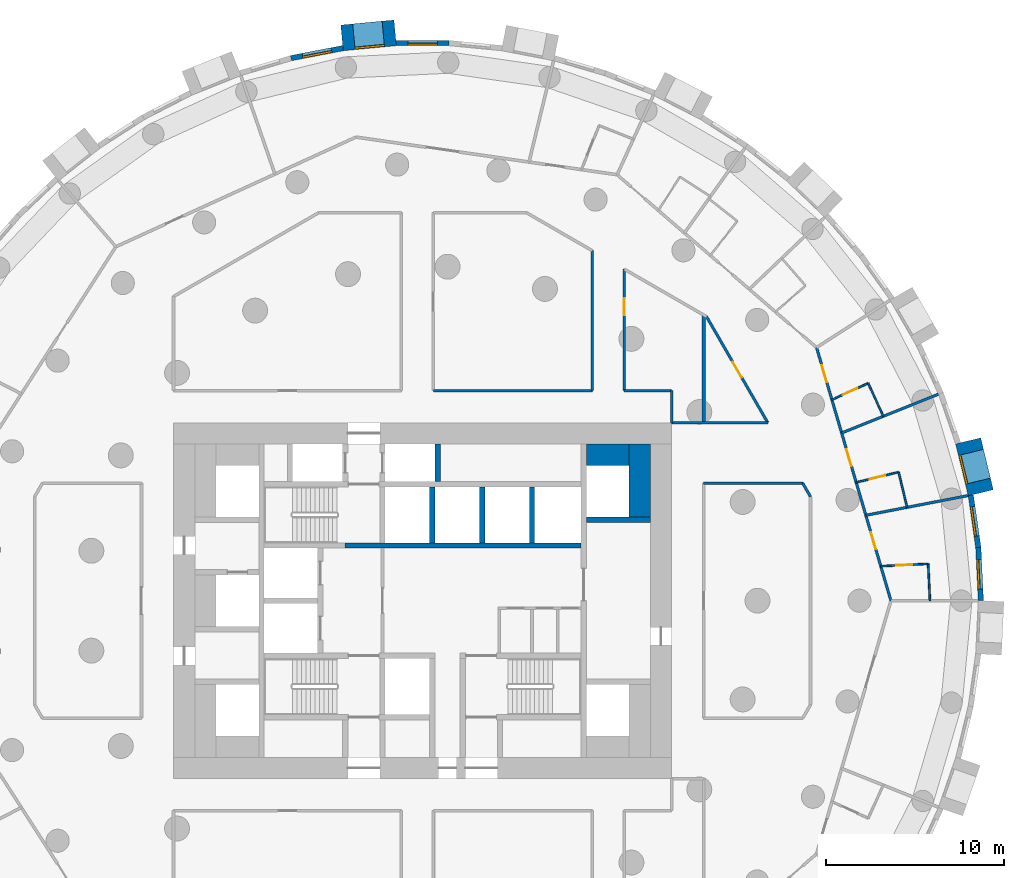
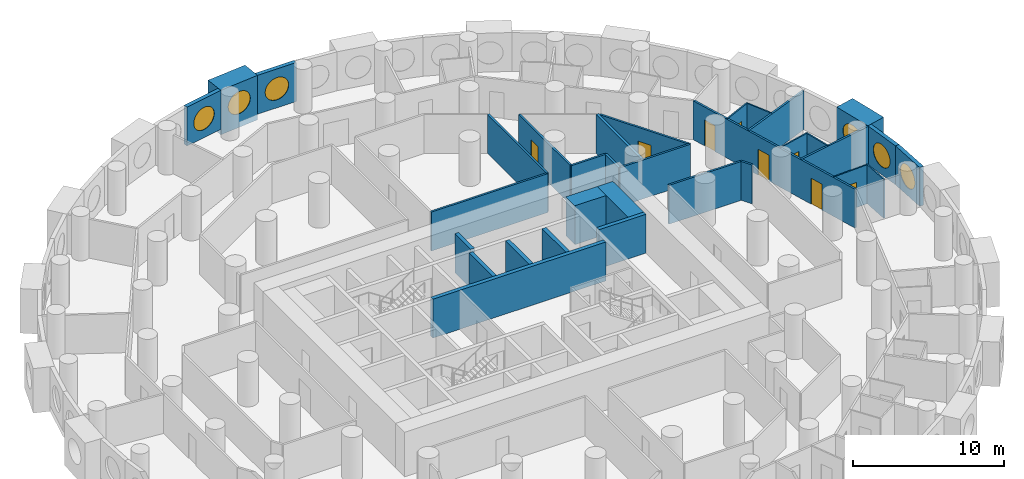
# One storey, part 8 of 12: 33 walls, 8 doors, 6 windows, 14 openings.
"""IFC4 building model written with IfcOpenShell, lengths in metres."""

from ifc_helpers import new_model, si_unit, direction, frame, frame_2d, origin, origin_2d, place, context, subcontext, project, spatial, rectangle, circle, extrude, material, layer, layer_set, type_object, element, fill, save


model = new_model("IFC4")

# Units and contexts
model_context = context("Model", 3, precision=1e-05, world=origin(), true_north=direction((0.0, 1.0)))
body_context = subcontext(model_context, "Body", "Model", "MODEL_VIEW")
ifc_project = project(units=[si_unit("LENGTHUNIT", "METRE"), si_unit("AREAUNIT", "SQUARE_METRE"), si_unit("VOLUMEUNIT", "CUBIC_METRE"), si_unit("PLANEANGLEUNIT", "RADIAN"), si_unit("MASSUNIT", "GRAM", prefix="KILO")], contexts=[model_context])

# Site, building, storey
site_placement = place(None, origin())
site = spatial("IfcSite", under=ifc_project, at=site_placement, CompositionType="ELEMENT")
building_placement = place(site_placement, origin())
building = spatial("IfcBuilding", under=site, at=building_placement, Name="Tracery Tower", CompositionType="ELEMENT")
storey_placement = place(building_placement, frame((0.0, 0.0, 71.39990234375)))
storey = spatial("IfcBuildingStorey", under=building, at=storey_placement, Name="L17", CompositionType="ELEMENT", Elevation=71.39990234375)

# Walls
ifc_material_1 = material(Name="Concrete C60/75", Category="concrete")
ifc_layer_1 = layer(ifc_material_1, 1.199951171875)
ifc_layer_set_1 = layer_set([ifc_layer_1], Name="Core strip wall 1200 C60")
wall_type_1 = type_object("IfcWallType", Name="Core strip wall 1200 C60", PredefinedType="SOLIDWALL", material=ifc_layer_set_1)
wall_1_placement = place(storey_placement, frame((12.199951171875, 4.699951171875, 0.0), z_axis=(0.0, 0.0, 1.0), x_axis=(0.0, 1.0, 0.0)))
element("IfcWall", 1, at=wall_1_placement, inside=storey, type_object=wall_type_1, Name="L17 wing strip +1 4.55", PredefinedType="SOLIDWALL", context=body_context, shape_type="SweptSolid", body=[
    extrude(rectangle(XDim=4.10009765625, YDim=1.199951171875, at=frame_2d((2.050048828125, 0.0))), origin(), (0.0, 0.0, 1.0), 3.150146484375),
])
wall_2_placement = place(storey_placement, frame((9.199951171875, 8.199951171875, 0.0), z_axis=(0.0, 0.0, 1.0), x_axis=(1.0, 0.0, 0.0)))
element("IfcWall", 2, at=wall_2_placement, inside=storey, type_object=wall_type_1, Name="L17 wing corner +1 +8.2", PredefinedType="SOLIDWALL", context=body_context, shape_type="SweptSolid", body=[
    extrude(rectangle(XDim=2.400146484375, YDim=1.199951171875, at=frame_2d((1.2001953125, 0.0))), origin(), (0.0, 0.0, 1.0), 3.150146484375),
])

# Wall, opening, window
ifc_material_2 = material(Name="Precast concrete C50/60", Category="concrete")
ifc_layer_2 = layer(ifc_material_2, 1.449951171875)
ifc_layer_set_2 = layer_set([ifc_layer_2], Name="Deep-set bay unit 3000 x 3600, slab edge 450")
wall_type_2 = type_object("IfcWallType", Name="Deep-set bay unit 3000 x 3600, slab edge 450", PredefinedType="ELEMENTEDWALL", material=ifc_layer_set_2)
wall_3_placement = place(storey_placement, frame((31.367919921875, 6.066162109375, -0.449951171875), z_axis=(0.0, 0.0, 1.0), x_axis=(-0.235751415068, 0.971813392732, 0.0)))
wall_3 = element("IfcWall", 3, at=wall_3_placement, inside=storey, type_object=wall_type_2, Name="Deep-set bay unit 3 at L17", PredefinedType="ELEMENTEDWALL", context=body_context, shape_type="SweptSolid", body=[
    extrude(rectangle(XDim=3.0, YDim=1.449951171875, at=frame_2d((1.5, 0.0))), origin(), (0.0, 0.0, 1.0), 3.60009765625),
])
opening_1_placement = place(wall_3_placement, frame((1.5, 0.0, 2.0)))
opening_1 = element("IfcOpeningElement", 4, at=opening_1_placement, cuts=wall_3, Name="Opening WN1", PredefinedType="OPENING", context=body_context, shape_type="SweptSolid", body=[
    extrude(circle(Radius=0.9000244140625, at=origin_2d()), frame((0.0, 0.73486328125, 0.0), z_axis=(0.0, -1.0, 0.0), x_axis=(1.0, 0.0, 0.0)), (0.0, 0.0, 1.0), 1.469970703125),
])
ifc_material_3 = material(Name="Aluminium frame with tinted double glazing", Category="aluminium")
window_type = type_object("IfcWindowType", Name="Round window 1800", PartitioningType="SINGLE_PANEL", PredefinedType="WINDOW", material=ifc_material_3)
window_1_placement = place(opening_1_placement, origin())
window_1 = element("IfcWindow", 5, at=window_1_placement, inside=storey, type_object=window_type, Name="Round window 3 at L17", OverallHeight=1.800048828125, OverallWidth=1.800048828125, PartitioningType="SINGLE_PANEL", PredefinedType="WINDOW", context=body_context, shape_type="SweptSolid", body=[
    extrude(circle(Radius=0.9000244140625, at=origin_2d()), frame((0.0, 0.69482421875, 0.0), z_axis=(0.0, -1.0, 0.0), x_axis=(1.0, 0.0, 0.0)), (0.0, 0.0, 1.0), 0.10009765625),
])
fill(opening_1, window_1)

wall_4_placement = place(storey_placement, frame((-1.540283203125, 31.911865234375, -0.449951171875), z_axis=(0.0, 0.0, 1.0), x_axis=(-0.995472768558, -0.09504718333, 0.0)))
wall_4 = element("IfcWall", 6, at=wall_4_placement, inside=storey, type_object=wall_type_2, Name="Deep-set bay unit 18 at L17", PredefinedType="ELEMENTEDWALL", context=body_context, shape_type="SweptSolid", body=[
    extrude(rectangle(XDim=3.000244140625, YDim=1.449951171875, at=frame_2d((1.5, 0.0))), origin(), (0.0, 0.0, 1.0), 3.60009765625),
])
opening_2_placement = place(wall_4_placement, frame((1.5, 0.0, 2.0)))
opening_2 = element("IfcOpeningElement", 7, at=opening_2_placement, cuts=wall_4, Name="Opening WN1", PredefinedType="OPENING", context=body_context, shape_type="SweptSolid", body=[
    extrude(circle(Radius=0.9000244140625, at=origin_2d()), frame((0.0, 0.73486328125, 0.0), z_axis=(0.0, -1.0, 0.0), x_axis=(1.0, 0.0, 0.0)), (0.0, 0.0, 1.0), 1.469970703125),
])
window_2_placement = place(opening_2_placement, origin())
window_2 = element("IfcWindow", 8, at=window_2_placement, inside=storey, type_object=window_type, Name="Round window 18 at L17", OverallHeight=1.800048828125, OverallWidth=1.800048828125, PartitioningType="SINGLE_PANEL", PredefinedType="WINDOW", context=body_context, shape_type="SweptSolid", body=[
    extrude(circle(Radius=0.9000244140625, at=origin_2d()), frame((0.0, 0.69482421875, 0.0), z_axis=(0.0, -1.0, 0.0), x_axis=(1.0, 0.0, 0.0)), (0.0, 0.0, 1.0), 0.10009765625),
])
fill(opening_2, window_2)

ifc_material_4 = material(Name="Precast concrete C50/60", Category="concrete")
ifc_layer_3 = layer(ifc_material_4, 0.300048828125)
ifc_layer_set_3 = layer_set([ifc_layer_3], Name="Facade panel 3000 x 3150")
wall_type_3 = type_object("IfcWallType", Name="Facade panel 3000 x 3150", PredefinedType="SOLIDWALL", material=ifc_layer_set_3)
wall_5_placement = place(storey_placement, frame((31.3740234375, 0.006103515625, 0.0), z_axis=(0.0, 0.0, 1.0), x_axis=(-0.047522328113, 0.998870175914, 0.0)))
wall_5 = element("IfcWall", 9, at=wall_5_placement, inside=storey, type_object=wall_type_3, Name="Facade panel 1 at L17", PredefinedType="SOLIDWALL", context=body_context, shape_type="SweptSolid", body=[
    extrude(rectangle(XDim=2.979736328125, YDim=0.300048828125, at=frame_2d((1.48974609375, 0.0))), origin(), (0.0, 0.0, 1.0), 3.150146484375),
])
opening_3_placement = place(wall_5_placement, frame((1.48974609375, 0.0, 1.5498046875)))
opening_3 = element("IfcOpeningElement", 10, at=opening_3_placement, cuts=wall_5, Name="Opening WN1", PredefinedType="OPENING", context=body_context, shape_type="SweptSolid", body=[
    extrude(circle(Radius=0.9000244140625, at=origin_2d()), frame((0.0, 0.159912109375, 0.0), z_axis=(0.0, -1.0, 0.0), x_axis=(1.0, 0.0, 0.0)), (0.0, 0.0, 1.0), 0.320068359375),
])
window_3_placement = place(opening_3_placement, origin())
window_3 = element("IfcWindow", 11, at=window_3_placement, inside=storey, type_object=window_type, Name="Round window 1 at L17", OverallHeight=1.800048828125, OverallWidth=1.800048828125, PartitioningType="SINGLE_PANEL", PredefinedType="WINDOW", context=body_context, shape_type="SweptSolid", body=[
    extrude(circle(Radius=0.9000244140625, at=origin_2d()), frame((0.0, 0.1201171875, 0.0), z_axis=(0.0, -1.0, 0.0), x_axis=(1.0, 0.0, 0.0)), (0.0, 0.0, 1.0), 0.10009765625),
])
fill(opening_3, window_3)

wall_6_placement = place(storey_placement, frame((31.232421875, 2.982421875, 0.0), z_axis=(0.0, 0.0, 1.0), x_axis=(-0.142327539111, 0.989819615693, 0.0)))
wall_6 = element("IfcWall", 12, at=wall_6_placement, inside=storey, type_object=wall_type_3, Name="Facade panel 2 at L17", PredefinedType="SOLIDWALL", context=body_context, shape_type="SweptSolid", body=[
    extrude(rectangle(XDim=2.9794921875, YDim=0.300048828125, at=frame_2d((1.48974609375, 0.0))), origin(), (0.0, 0.0, 1.0), 3.150146484375),
])
opening_4_placement = place(wall_6_placement, frame((1.48974609375, 0.0, 1.5498046875)))
opening_4 = element("IfcOpeningElement", 13, at=opening_4_placement, cuts=wall_6, Name="Opening WN1", PredefinedType="OPENING", context=body_context, shape_type="SweptSolid", body=[
    extrude(circle(Radius=0.9000244140625, at=origin_2d()), frame((0.0, 0.159912109375, 0.0), z_axis=(0.0, -1.0, 0.0), x_axis=(1.0, 0.0, 0.0)), (0.0, 0.0, 1.0), 0.320068359375),
])
window_4_placement = place(opening_4_placement, origin())
window_4 = element("IfcWindow", 14, at=window_4_placement, inside=storey, type_object=window_type, Name="Round window 2 at L17", OverallHeight=1.800048828125, OverallWidth=1.800048828125, PartitioningType="SINGLE_PANEL", PredefinedType="WINDOW", context=body_context, shape_type="SweptSolid", body=[
    extrude(circle(Radius=0.9000244140625, at=origin_2d()), frame((0.0, 0.1201171875, 0.0), z_axis=(0.0, -1.0, 0.0), x_axis=(1.0, 0.0, 0.0)), (0.0, 0.0, 1.0), 0.10009765625),
])
fill(opening_4, window_4)

wall_7_placement = place(storey_placement, frame((1.492919921875, 31.3388671875, 0.0), z_axis=(0.0, 0.0, 1.0), x_axis=(-1.0, 0.0, 0.0)))
wall_7 = element("IfcWall", 15, at=wall_7_placement, inside=storey, type_object=wall_type_3, Name="Facade panel 17 at L17", PredefinedType="SOLIDWALL", context=body_context, shape_type="SweptSolid", body=[
    extrude(rectangle(XDim=2.979736328125, YDim=0.300048828125, at=frame_2d((1.48974609375, 0.0))), origin(), (0.0, 0.0, 1.0), 3.150146484375),
])
opening_5_placement = place(wall_7_placement, frame((1.48974609375, 0.0, 1.5498046875)))
opening_5 = element("IfcOpeningElement", 16, at=opening_5_placement, cuts=wall_7, Name="Opening WN1", PredefinedType="OPENING", context=body_context, shape_type="SweptSolid", body=[
    extrude(circle(Radius=0.9000244140625, at=origin_2d()), frame((0.0, 0.159912109375, 0.0), z_axis=(0.0, -1.0, 0.0), x_axis=(1.0, 0.0, 0.0)), (0.0, 0.0, 1.0), 0.320068359375),
])
window_5_placement = place(opening_5_placement, origin())
window_5 = element("IfcWindow", 17, at=window_5_placement, inside=storey, type_object=window_type, Name="Round window 17 at L17", OverallHeight=1.800048828125, OverallWidth=1.800048828125, PartitioningType="SINGLE_PANEL", PredefinedType="WINDOW", context=body_context, shape_type="SweptSolid", body=[
    extrude(circle(Radius=0.9000244140625, at=origin_2d()), frame((0.0, 0.1201171875, 0.0), z_axis=(0.0, -1.0, 0.0), x_axis=(1.0, 0.0, 0.0)), (0.0, 0.0, 1.0), 0.10009765625),
])
fill(opening_5, window_5)

wall_8_placement = place(storey_placement, frame((-4.470947265625, 31.053955078125, 0.0), z_axis=(0.0, 0.0, 1.0), x_axis=(-0.981924535406, -0.189272836848, 0.0)))
wall_8 = element("IfcWall", 18, at=wall_8_placement, inside=storey, type_object=wall_type_3, Name="Facade panel 19 at L17", PredefinedType="SOLIDWALL", context=body_context, shape_type="SweptSolid", body=[
    extrude(rectangle(XDim=2.979736328125, YDim=0.300048828125, at=frame_2d((1.48974609375, 0.0))), origin(), (0.0, 0.0, 1.0), 3.150146484375),
])
opening_6_placement = place(wall_8_placement, frame((1.48974609375, 0.0, 1.5498046875)))
opening_6 = element("IfcOpeningElement", 19, at=opening_6_placement, cuts=wall_8, Name="Opening WN1", PredefinedType="OPENING", context=body_context, shape_type="SweptSolid", body=[
    extrude(circle(Radius=0.9000244140625, at=origin_2d()), frame((0.0, 0.159912109375, 0.0), z_axis=(0.0, -1.0, 0.0), x_axis=(1.0, 0.0, 0.0)), (0.0, 0.0, 1.0), 0.320068359375),
])
window_6_placement = place(opening_6_placement, origin())
window_6 = element("IfcWindow", 20, at=window_6_placement, inside=storey, type_object=window_type, Name="Round window 19 at L17", OverallHeight=1.800048828125, OverallWidth=1.800048828125, PartitioningType="SINGLE_PANEL", PredefinedType="WINDOW", context=body_context, shape_type="SweptSolid", body=[
    extrude(circle(Radius=0.9000244140625, at=origin_2d()), frame((0.0, 0.1201171875, 0.0), z_axis=(0.0, -1.0, 0.0), x_axis=(1.0, 0.0, 0.0)), (0.0, 0.0, 1.0), 0.10009765625),
])
fill(opening_6, window_6)

# Wall
ifc_material_5 = material(Name="Plasterboard on steel studs", Category="steel")
ifc_layer_4 = layer(ifc_material_5, 0.10009765625)
ifc_layer_set_4 = layer_set([ifc_layer_4], Name="Partition 100 wet wall")
wall_type_4 = type_object("IfcWallType", Name="Partition 100 wet wall", PredefinedType="PARTITIONING", material=ifc_layer_set_4)
wall_9_placement = place(storey_placement, frame((28.412109375, 2.069091796875, 0.0), z_axis=(0.0, 0.0, 1.0), x_axis=(0.047733138673, -0.998860124078, 0.0)))
element("IfcWall", 21, at=wall_9_placement, inside=storey, type_object=wall_type_4, Name="Wet wall RA5-058", PredefinedType="PARTITIONING", context=body_context, shape_type="SweptSolid", body=[
    extrude(rectangle(XDim=2.071533203125, YDim=0.10009765625, at=frame_2d((1.03564453125, 0.0))), origin(), (0.0, 0.0, 1.0), 3.150146484375),
])

# Wall, opening, door
wall_10_placement = place(storey_placement, frame((25.7490234375, 1.94189453125, 0.0), z_axis=(0.0, 0.0, 1.0), x_axis=(0.998861290624, 0.047708721344, 0.0)))
wall_10 = element("IfcWall", 22, at=wall_10_placement, inside=storey, type_object=wall_type_4, Name="Wet wall RA5-059", PredefinedType="PARTITIONING", context=body_context, shape_type="SweptSolid", body=[
    extrude(rectangle(XDim=2.666015625, YDim=0.10009765625, at=frame_2d((1.3330078125, 0.0))), origin(), (0.0, 0.0, 1.0), 3.150146484375),
])
opening_7_placement = place(wall_10_placement, frame((0.883056640625, 0.0, 0.0)))
opening_7 = element("IfcOpeningElement", 23, at=opening_7_placement, cuts=wall_10, Name="Opening RA5-10", PredefinedType="OPENING", context=body_context, shape_type="SweptSolid", body=[
    extrude(rectangle(XDim=0.89990234375, YDim=2.0400390625, at=frame_2d((0.449951171875, 1.02001953125))), frame((0.0, 0.050048828125, 0.0), z_axis=(0.0, -1.0, 0.0), x_axis=(1.0, 0.0, 0.0)), (0.0, 0.0, 1.0), 0.10009765625),
])
ifc_material_6 = material(Name="Timber door leaf", Category="wood")
door_type_1 = type_object("IfcDoorType", Name="Door en-suite 900", OperationType="NOTDEFINED", PredefinedType="DOOR", material=ifc_material_6)
door_1_placement = place(opening_7_placement, origin())
door_1 = element("IfcDoor", 24, at=door_1_placement, inside=storey, type_object=door_type_1, Name="En-suite door RA5-10", OperationType="SINGLE_SWING_LEFT", OverallHeight=2.0400390625, OverallWidth=0.89990234375, PredefinedType="DOOR", context=body_context, shape_type="SweptSolid", body=[
    extrude(rectangle(XDim=0.89990234375, YDim=2.0400390625, at=frame_2d((0.449951171875, 1.02001953125))), frame((0.0, 0.02490234375, 0.0), z_axis=(0.0, -1.0, 0.0), x_axis=(1.0, 0.0, 0.0)), (0.0, 0.0, 1.0), 0.050048828125),
])
fill(opening_7, door_1)

# Wall
wall_11_placement = place(storey_placement, frame((26.75, 7.22509765625, 0.0), z_axis=(0.0, 0.0, 1.0), x_axis=(0.23592286129, -0.97177178572, 0.0)))
element("IfcWall", 25, at=wall_11_placement, inside=storey, type_object=wall_type_4, Name="Wet wall RA5-062", PredefinedType="PARTITIONING", context=body_context, shape_type="SweptSolid", body=[
    extrude(rectangle(XDim=2.034423828125, YDim=0.10009765625, at=frame_2d((1.01708984375, 0.0))), origin(), (0.0, 0.0, 1.0), 3.150146484375),
])

# Wall, opening, door
wall_12_placement = place(storey_placement, frame((24.366943359375, 6.64599609375, 0.0), z_axis=(0.0, 0.0, 1.0), x_axis=(0.971720101056, 0.236135650006, 0.0)))
wall_12 = element("IfcWall", 26, at=wall_12_placement, inside=storey, type_object=wall_type_4, Name="Wet wall RA5-063", PredefinedType="PARTITIONING", context=body_context, shape_type="SweptSolid", body=[
    extrude(rectangle(XDim=2.452392578125, YDim=0.10009765625, at=frame_2d((1.22607421875, 0.0))), origin(), (0.0, 0.0, 1.0), 3.150146484375),
])
opening_8_placement = place(wall_12_placement, frame((0.7763671875, 0.0, 0.0)))
opening_8 = element("IfcOpeningElement", 27, at=opening_8_placement, cuts=wall_12, Name="Opening RA5-12", PredefinedType="OPENING", context=body_context, shape_type="SweptSolid", body=[
    extrude(rectangle(XDim=0.89990234375, YDim=2.0400390625, at=frame_2d((0.449951171875, 1.02001953125))), frame((0.0, 0.050048828125, 0.0), z_axis=(0.0, -1.0, 0.0), x_axis=(1.0, 0.0, 0.0)), (0.0, 0.0, 1.0), 0.10009765625),
])
door_2_placement = place(opening_8_placement, origin())
door_2 = element("IfcDoor", 28, at=door_2_placement, inside=storey, type_object=door_type_1, Name="En-suite door RA5-12", OperationType="SINGLE_SWING_LEFT", OverallHeight=2.0400390625, OverallWidth=0.89990234375, PredefinedType="DOOR", context=body_context, shape_type="SweptSolid", body=[
    extrude(rectangle(XDim=0.89990234375, YDim=2.0400390625, at=frame_2d((0.449951171875, 1.02001953125))), frame((0.0, 0.02490234375, 0.0), z_axis=(0.0, -1.0, 0.0), x_axis=(1.0, 0.0, 0.0)), (0.0, 0.0, 1.0), 0.050048828125),
])
fill(opening_8, door_2)

# Wall
wall_13_placement = place(storey_placement, frame((25.04296875, 12.221923828125, 0.0), z_axis=(0.0, 0.0, 1.0), x_axis=(0.41546015385, -0.909611378866, 0.0)))
element("IfcWall", 29, at=wall_13_placement, inside=storey, type_object=wall_type_4, Name="Wet wall RA5-065", PredefinedType="PARTITIONING", context=body_context, shape_type="SweptSolid", body=[
    extrude(rectangle(XDim=2.04150390625, YDim=0.10009765625, at=frame_2d((1.020751953125, 0.0))), origin(), (0.0, 0.0, 1.0), 3.150146484375),
])

# Wall, opening, door
wall_14_placement = place(storey_placement, frame((23.0029296875, 11.291015625, 0.0), z_axis=(0.0, 0.0, 1.0), x_axis=(0.90975773562, 0.41513956988, 0.0)))
wall_14 = element("IfcWall", 30, at=wall_14_placement, inside=storey, type_object=wall_type_4, Name="Wet wall RA5-066", PredefinedType="PARTITIONING", context=body_context, shape_type="SweptSolid", body=[
    extrude(rectangle(XDim=2.242431640625, YDim=0.10009765625, at=frame_2d((1.12109375, 0.0))), origin(), (0.0, 0.0, 1.0), 3.150146484375),
])
opening_9_placement = place(wall_14_placement, frame((0.67138671875, 0.0, 0.0)))
opening_9 = element("IfcOpeningElement", 31, at=opening_9_placement, cuts=wall_14, Name="Opening RA5-14", PredefinedType="OPENING", context=body_context, shape_type="SweptSolid", body=[
    extrude(rectangle(XDim=0.89990234375, YDim=2.0400390625, at=frame_2d((0.449951171875, 1.02001953125))), frame((0.0, 0.050048828125, 0.0), z_axis=(0.0, -1.0, 0.0), x_axis=(1.0, 0.0, 0.0)), (0.0, 0.0, 1.0), 0.10009765625),
])
door_3_placement = place(opening_9_placement, origin())
door_3 = element("IfcDoor", 32, at=door_3_placement, inside=storey, type_object=door_type_1, Name="En-suite door RA5-14", OperationType="SINGLE_SWING_LEFT", OverallHeight=2.0400390625, OverallWidth=0.89990234375, PredefinedType="DOOR", context=body_context, shape_type="SweptSolid", body=[
    extrude(rectangle(XDim=0.89990234375, YDim=2.0400390625, at=frame_2d((0.449951171875, 1.02001953125))), frame((0.0, 0.02490234375, 0.0), z_axis=(0.0, -1.0, 0.0), x_axis=(1.0, 0.0, 0.0)), (0.0, 0.0, 1.0), 0.050048828125),
])
fill(opening_9, door_3)

# Walls
ifc_material_7 = material(Name="Plasterboard on steel studs", Category="steel")
ifc_layer_5 = layer(ifc_material_7, 0.14990234375)
ifc_layer_set_5 = layer_set([ifc_layer_5], Name="Partition 150 acoustic unit wall")
wall_type_5 = type_object("IfcWallType", Name="Partition 150 acoustic unit wall", PredefinedType="PARTITIONING", material=ifc_layer_set_5)
wall_15_placement = place(storey_placement, frame((24.9091796875, 4.80029296875, 0.0), z_axis=(0.0, 0.0, 1.0), x_axis=(0.981919819649, 0.18929729998, 0.0)))
element("IfcWall", 33, at=wall_15_placement, inside=storey, type_object=wall_type_5, Name="Unit wall RA5-060", PredefinedType="PARTITIONING", context=body_context, shape_type="SweptSolid", body=[
    extrude(rectangle(XDim=5.856689453125, YDim=0.14990234375, at=frame_2d((2.92822265625, 0.0))), origin(), (0.0, 0.0, 1.0), 3.150146484375),
])
wall_16_placement = place(storey_placement, frame((23.55029296875, 9.427001953125, 0.0), z_axis=(0.0, 0.0, 1.0), x_axis=(0.928307005382, 0.371814609393, 0.0)))
element("IfcWall", 34, at=wall_16_placement, inside=storey, type_object=wall_type_5, Name="Unit wall RA5-064", PredefinedType="PARTITIONING", context=body_context, shape_type="SweptSolid", body=[
    extrude(rectangle(XDim=5.857666015625, YDim=0.14990234375, at=frame_2d((2.9287109375, 0.0))), origin(), (0.0, 0.0, 1.0), 3.150146484375),
])
ifc_material_8 = material(Name="Plasterboard on steel studs", Category="steel")
ifc_layer_6 = layer(ifc_material_8, 0.14990234375)
ifc_layer_set_6 = layer_set([ifc_layer_6], Name="Partition 150 corridor wall")
wall_type_6 = type_object("IfcWallType", Name="Partition 150 corridor wall", PredefinedType="PARTITIONING", material=ifc_layer_set_6)
wall_17_placement = place(storey_placement, frame((0.60400390625, 11.800048828125, 0.0), z_axis=(0.0, 0.0, 1.0), x_axis=(1.0, 0.0, 0.0)))
element("IfcWall", 35, at=wall_17_placement, inside=storey, type_object=wall_type_6, Name="Corridor wall RA5-002", PredefinedType="PARTITIONING", context=body_context, shape_type="SweptSolid", body=[
    extrude(rectangle(XDim=8.93603515625, YDim=0.14990234375, at=frame_2d((4.468017578125, 0.0))), origin(), (0.0, 0.0, 1.0), 3.150146484375),
])
wall_18_placement = place(storey_placement, frame((11.33203125, 11.800048828125, 0.0), z_axis=(0.0, 0.0, 1.0), x_axis=(1.0, 0.0, 0.0)))
element("IfcWall", 36, at=wall_18_placement, inside=storey, type_object=wall_type_6, Name="Corridor wall RA5-003", PredefinedType="PARTITIONING", context=body_context, shape_type="SweptSolid", body=[
    extrude(rectangle(XDim=2.66796875, YDim=0.14990234375, at=frame_2d((1.333984375, 0.0))), origin(), (0.0, 0.0, 1.0), 3.150146484375),
])
wall_19_placement = place(storey_placement, frame((14.0, 10.0, 0.0), z_axis=(0.0, 0.0, 1.0), x_axis=(0.0, 1.0, 0.0)))
element("IfcWall", 37, at=wall_19_placement, inside=storey, type_object=wall_type_6, Name="Corridor wall RA5-004", PredefinedType="PARTITIONING", context=body_context, shape_type="SweptSolid", body=[
    extrude(rectangle(XDim=1.800048828125, YDim=0.14990234375, at=frame_2d((0.89990234375, 0.0))), origin(), (0.0, 0.0, 1.0), 3.150146484375),
])
wall_20_placement = place(storey_placement, frame((14.0, 10.0, 0.0), z_axis=(0.0, 0.0, 1.0), x_axis=(1.0, 0.0, 0.0)))
element("IfcWall", 38, at=wall_20_placement, inside=storey, type_object=wall_type_6, Name="Corridor wall RA5-009", PredefinedType="PARTITIONING", context=body_context, shape_type="SweptSolid", body=[
    extrude(rectangle(XDim=5.40087890625, YDim=0.14990234375, at=frame_2d((2.700439453125, 0.0))), origin(), (0.0, 0.0, 1.0), 3.150146484375),
])
wall_21_placement = place(storey_placement, frame((21.364013671875, 6.60009765625, 0.0), z_axis=(0.0, 0.0, 1.0), x_axis=(0.500277597875, -0.865865073245, 0.0)))
element("IfcWall", 39, at=wall_21_placement, inside=storey, type_object=wall_type_6, Name="Corridor wall RA5-017", PredefinedType="PARTITIONING", context=body_context, shape_type="SweptSolid", body=[
    extrude(rectangle(XDim=0.87548828125, YDim=0.14990234375, at=frame_2d((0.437744140625, 0.0))), origin(), (0.0, 0.0, 1.0), 3.150146484375),
])
wall_22_placement = place(storey_placement, frame((15.800048828125, 6.60009765625, 0.0), z_axis=(0.0, 0.0, 1.0), x_axis=(1.0, 0.0, 0.0)))
element("IfcWall", 40, at=wall_22_placement, inside=storey, type_object=wall_type_6, Name="Corridor wall RA5-018", PredefinedType="PARTITIONING", context=body_context, shape_type="SweptSolid", body=[
    extrude(rectangle(XDim=5.56396484375, YDim=0.14990234375, at=frame_2d((2.781982421875, 0.0))), origin(), (0.0, 0.0, 1.0), 3.150146484375),
])

# Wall, opening, door
wall_23_placement = place(storey_placement, frame((15.9599609375, 15.9599609375, 0.0), z_axis=(0.0, 0.0, 1.0), x_axis=(0.499992689227, -0.86602962462, 0.0)))
wall_23 = element("IfcWall", 41, at=wall_23_placement, inside=storey, type_object=wall_type_6, Name="Corridor wall RA5-019", PredefinedType="PARTITIONING", context=body_context, shape_type="SweptSolid", body=[
    extrude(rectangle(XDim=6.8818359375, YDim=0.14990234375, at=frame_2d((3.44091796875, 0.0))), origin(), (0.0, 0.0, 1.0), 3.150146484375),
])
opening_10_placement = place(wall_23_placement, frame((2.94091796875, 0.0, 0.0)))
opening_10 = element("IfcOpeningElement", 42, at=opening_10_placement, cuts=wall_23, Name="Opening RA5-09", PredefinedType="OPENING", context=body_context, shape_type="SweptSolid", body=[
    extrude(rectangle(XDim=1.0, YDim=2.0400390625, at=frame_2d((0.5, 1.02001953125))), frame((0.0, 0.074951171875, 0.0), z_axis=(0.0, -1.0, 0.0), x_axis=(1.0, 0.0, 0.0)), (0.0, 0.0, 1.0), 0.14990234375),
])
ifc_material_9 = material(Name="Timber door leaf", Category="wood")
door_type_2 = type_object("IfcDoorType", Name="Door communal room 1000", OperationType="NOTDEFINED", PredefinedType="DOOR", material=ifc_material_9)
door_4_placement = place(opening_10_placement, origin())
door_4 = element("IfcDoor", 43, at=door_4_placement, inside=storey, type_object=door_type_2, Name="Communal room door RA5-09", OperationType="SINGLE_SWING_LEFT", OverallHeight=2.0400390625, OverallWidth=1.0, PredefinedType="DOOR", context=body_context, shape_type="SweptSolid", body=[
    extrude(rectangle(XDim=1.0, YDim=2.0400390625, at=frame_2d((0.5, 1.02001953125))), frame((0.0, 0.02490234375, 0.0), z_axis=(0.0, -1.0, 0.0), x_axis=(1.0, 0.0, 0.0)), (0.0, 0.0, 1.0), 0.050048828125),
])
fill(opening_10, door_4)

# Wall, openings, doors
wall_24_placement = place(storey_placement, frame((22.140380859375, 14.228759765625, 0.0), z_axis=(0.0, 0.0, 1.0), x_axis=(0.281780364869, -0.959478934617, 0.0)))
wall_24 = element("IfcWall", 44, at=wall_24_placement, inside=storey, type_object=wall_type_6, Name="Corridor wall RA5-020", PredefinedType="PARTITIONING", context=body_context, shape_type="SweptSolid", body=[
    extrude(rectangle(XDim=14.82958984375, YDim=0.14990234375, at=frame_2d((7.414794921875, 0.0))), origin(), (0.0, 0.0, 1.0), 3.150146484375),
])
opening_11_placement = place(wall_24_placement, frame((10.81591796875, 0.0, 0.0)))
opening_11 = element("IfcOpeningElement", 45, at=opening_11_placement, cuts=wall_24, Name="Opening RA5-11", PredefinedType="OPENING", context=body_context, shape_type="SweptSolid", body=[
    extrude(rectangle(XDim=1.0, YDim=2.10009765625, at=frame_2d((0.5, 1.050048828125))), frame((0.0, 0.074951171875, 0.0), z_axis=(0.0, -1.0, 0.0), x_axis=(1.0, 0.0, 0.0)), (0.0, 0.0, 1.0), 0.14990234375),
])
opening_12_placement = place(wall_24_placement, frame((5.953369140625, 0.0, 0.0)))
opening_12 = element("IfcOpeningElement", 46, at=opening_12_placement, cuts=wall_24, Name="Opening RA5-13", PredefinedType="OPENING", context=body_context, shape_type="SweptSolid", body=[
    extrude(rectangle(XDim=1.0, YDim=2.10009765625, at=frame_2d((0.5, 1.050048828125))), frame((0.0, 0.074951171875, 0.0), z_axis=(0.0, -1.0, 0.0), x_axis=(1.0, 0.0, 0.0)), (0.0, 0.0, 1.0), 0.14990234375),
])
opening_13_placement = place(wall_24_placement, frame((1.032958984375, 0.0, 0.0)))
opening_13 = element("IfcOpeningElement", 47, at=opening_13_placement, cuts=wall_24, Name="Opening RA5-15", PredefinedType="OPENING", context=body_context, shape_type="SweptSolid", body=[
    extrude(rectangle(XDim=1.0, YDim=2.10009765625, at=frame_2d((0.5, 1.050048828125))), frame((0.0, 0.074951171875, 0.0), z_axis=(0.0, -1.0, 0.0), x_axis=(1.0, 0.0, 0.0)), (0.0, 0.0, 1.0), 0.14990234375),
])
ifc_material_10 = material(Name="Timber door leaf", Category="wood")
door_type_3 = type_object("IfcDoorType", Name="Door unit entrance 1000", OperationType="NOTDEFINED", PredefinedType="DOOR", material=ifc_material_10)
door_5_placement = place(opening_11_placement, origin())
door_5 = element("IfcDoor", 48, at=door_5_placement, inside=storey, type_object=door_type_3, Name="Unit entrance door RA5-11", OperationType="SINGLE_SWING_LEFT", OverallHeight=2.10009765625, OverallWidth=1.0, PredefinedType="DOOR", context=body_context, shape_type="SweptSolid", body=[
    extrude(rectangle(XDim=1.0, YDim=2.10009765625, at=frame_2d((0.5, 1.050048828125))), frame((0.0, 0.02490234375, 0.0), z_axis=(0.0, -1.0, 0.0), x_axis=(1.0, 0.0, 0.0)), (0.0, 0.0, 1.0), 0.050048828125),
])
fill(opening_11, door_5)
door_6_placement = place(opening_12_placement, origin())
door_6 = element("IfcDoor", 49, at=door_6_placement, inside=storey, type_object=door_type_3, Name="Unit entrance door RA5-13", OperationType="SINGLE_SWING_LEFT", OverallHeight=2.10009765625, OverallWidth=1.0, PredefinedType="DOOR", context=body_context, shape_type="SweptSolid", body=[
    extrude(rectangle(XDim=1.0, YDim=2.10009765625, at=frame_2d((0.5, 1.050048828125))), frame((0.0, 0.02490234375, 0.0), z_axis=(0.0, -1.0, 0.0), x_axis=(1.0, 0.0, 0.0)), (0.0, 0.0, 1.0), 0.050048828125),
])
fill(opening_12, door_6)
door_7_placement = place(opening_13_placement, origin())
door_7 = element("IfcDoor", 50, at=door_7_placement, inside=storey, type_object=door_type_3, Name="Unit entrance door RA5-15", OperationType="SINGLE_SWING_LEFT", OverallHeight=2.10009765625, OverallWidth=1.0, PredefinedType="DOOR", context=body_context, shape_type="SweptSolid", body=[
    extrude(rectangle(XDim=1.0, YDim=2.10009765625, at=frame_2d((0.5, 1.050048828125))), frame((0.0, 0.02490234375, 0.0), z_axis=(0.0, -1.0, 0.0), x_axis=(1.0, 0.0, 0.0)), (0.0, 0.0, 1.0), 0.050048828125),
])
fill(opening_13, door_7)

# Wall
wall_25_placement = place(storey_placement, frame((9.535888671875, 11.800048828125, 0.0), z_axis=(0.0, 0.0, 1.0), x_axis=(0.0, 1.0, 0.0)))
element("IfcWall", 51, at=wall_25_placement, inside=storey, type_object=wall_type_6, Name="Corridor wall RA5-028", PredefinedType="PARTITIONING", context=body_context, shape_type="SweptSolid", body=[
    extrude(rectangle(XDim=7.868896484375, YDim=0.14990234375, at=frame_2d((3.9345703125, 0.0))), origin(), (0.0, 0.0, 1.0), 3.150146484375),
])

# Wall, opening, door
wall_26_placement = place(storey_placement, frame((11.3359375, 11.800048828125, 0.0), z_axis=(0.0, 0.0, 1.0), x_axis=(0.0, 1.0, 0.0)))
wall_26 = element("IfcWall", 52, at=wall_26_placement, inside=storey, type_object=wall_type_6, Name="Corridor wall RA5-033", PredefinedType="PARTITIONING", context=body_context, shape_type="SweptSolid", body=[
    extrude(rectangle(XDim=6.829833984375, YDim=0.14990234375, at=frame_2d((3.4150390625, 0.0))), origin(), (0.0, 0.0, 1.0), 3.150146484375),
])
opening_14_placement = place(wall_26_placement, frame((4.239990234375, 0.0, 0.0)))
opening_14 = element("IfcOpeningElement", 53, at=opening_14_placement, cuts=wall_26, Name="Opening RA5-03", PredefinedType="OPENING", context=body_context, shape_type="SweptSolid", body=[
    extrude(rectangle(XDim=0.949951171875, YDim=2.10009765625, at=frame_2d((0.47509765625, 1.050048828125))), frame((0.0, 0.074951171875, 0.0), z_axis=(0.0, -1.0, 0.0), x_axis=(1.0, 0.0, 0.0)), (0.0, 0.0, 1.0), 0.14990234375),
])
ifc_material_11 = material(Name="Timber door leaf", Category="wood")
door_type_4 = type_object("IfcDoorType", Name="Door store 950", OperationType="NOTDEFINED", PredefinedType="DOOR", material=ifc_material_11)
door_8_placement = place(opening_14_placement, origin())
door_8 = element("IfcDoor", 54, at=door_8_placement, inside=storey, type_object=door_type_4, Name="Store door RA5-03", OperationType="SINGLE_SWING_LEFT", OverallHeight=2.10009765625, OverallWidth=0.949951171875, PredefinedType="DOOR", context=body_context, shape_type="SweptSolid", body=[
    extrude(rectangle(XDim=0.949951171875, YDim=2.10009765625, at=frame_2d((0.47509765625, 1.050048828125))), frame((0.0, 0.02490234375, 0.0), z_axis=(0.0, -1.0, 0.0), x_axis=(1.0, 0.0, 0.0)), (0.0, 0.0, 1.0), 0.050048828125),
])
fill(opening_14, door_8)

# Walls
ifc_material_12 = material(Name="Plasterboard on steel studs", Category="steel")
ifc_layer_7 = layer(ifc_material_12, 0.199951171875)
ifc_layer_set_7 = layer_set([ifc_layer_7], Name="Partition 200 compartment wall")
wall_type_7 = type_object("IfcWallType", Name="Partition 200 compartment wall", PredefinedType="PARTITIONING", material=ifc_layer_set_7)
wall_27_placement = place(storey_placement, frame((15.800048828125, 10.0, 0.0), z_axis=(0.0, 0.0, 1.0), x_axis=(0.0, 1.0, 0.0)))
element("IfcWall", 55, at=wall_27_placement, inside=storey, type_object=wall_type_7, Name="Compartment wall RA5-057", PredefinedType="PARTITIONING", context=body_context, shape_type="SweptSolid", body=[
    extrude(rectangle(XDim=6.052978515625, YDim=0.199951171875, at=frame_2d((3.0263671875, 0.0))), origin(), (0.0, 0.0, 1.0), 3.150146484375),
])
ifc_material_13 = material(Name="Concrete C60/75", Category="concrete")
ifc_layer_8 = layer(ifc_material_13, 0.300048828125)
ifc_layer_set_8 = layer_set([ifc_layer_8], Name="Shaft wall 300 C60")
wall_type_8 = type_object("IfcWallType", Name="Shaft wall 300 C60", PredefinedType="SOLIDWALL", material=ifc_layer_set_8)
for number, where, z_axis, x_axis, name in (
    (56, (0.550048828125, 3.25, 0.0), (0.0, 0.0, 1.0), (0.0, 1.0, 0.0), "L17 HR sep 1"),
    (57, (3.35009765625, 3.25, 0.0), (0.0, 0.0, 1.0), (0.0, 1.0, 0.0), "L17 HR sep 2"),
    (58, (6.14990234375, 3.25, 0.0), (0.0, 0.0, 1.0), (0.0, 1.0, 0.0), "L17 HR sep 3"),
):
    element("IfcWall", number, at=place(storey_placement, frame(where, z_axis=z_axis, x_axis=x_axis)), inside=storey, type_object=wall_type_8, Name=name, PredefinedType="SOLIDWALL", context=body_context, shape_type="SweptSolid", body=[
        extrude(rectangle(XDim=3.14990234375, YDim=0.300048828125, at=frame_2d((1.574951171875, 0.0))), origin(), (0.0, 0.0, 1.0), 3.150146484375),
    ])
wall_28_placement = place(storey_placement, frame((0.85009765625, 6.699951171875, 0.0), z_axis=(0.0, 0.0, 1.0), x_axis=(0.0, 1.0, 0.0)))
element("IfcWall", 59, at=wall_28_placement, inside=storey, type_object=wall_type_8, Name="L17 LR sep 0.85", PredefinedType="SOLIDWALL", context=body_context, shape_type="SweptSolid", body=[
    extrude(rectangle(XDim=2.10009765625, YDim=0.300048828125, at=frame_2d((1.050048828125, 0.0))), origin(), (0.0, 0.0, 1.0), 3.150146484375),
])
wall_29_placement = place(storey_placement, frame((9.199951171875, 4.550048828125, 0.0), z_axis=(0.0, 0.0, 1.0), x_axis=(1.0, 0.0, 0.0)))
element("IfcWall", 60, at=wall_29_placement, inside=storey, type_object=wall_type_8, Name="L17 wing shaft wall +1 +4.55", PredefinedType="SOLIDWALL", context=body_context, shape_type="SweptSolid", body=[
    extrude(rectangle(XDim=3.60009765625, YDim=0.300048828125, at=frame_2d((1.800048828125, 0.0))), origin(), (0.0, 0.0, 1.0), 3.150146484375),
])
ifc_material_14 = material(Name="Concrete C60/75", Category="concrete")
ifc_layer_9 = layer(ifc_material_14, 0.300048828125)
ifc_layer_set_9 = layer_set([ifc_layer_9], Name="Stair wall 300 C60")
wall_type_9 = type_object("IfcWallType", Name="Stair wall 300 C60", PredefinedType="SOLIDWALL", material=ifc_layer_set_9)
wall_30_placement = place(storey_placement, frame((-4.35009765625, 3.10009765625, 0.0), z_axis=(0.0, 0.0, 1.0), x_axis=(1.0, 0.0, 0.0)))
element("IfcWall", 61, at=wall_30_placement, inside=storey, type_object=wall_type_9, Name="L17 row N", PredefinedType="SOLIDWALL", context=body_context, shape_type="SweptSolid", body=[
    extrude(rectangle(XDim=13.25, YDim=0.300048828125, at=frame_2d((6.625, 0.0))), origin(), (0.0, 0.0, 1.0), 3.150146484375),
])

save(model, "model.ifc")
